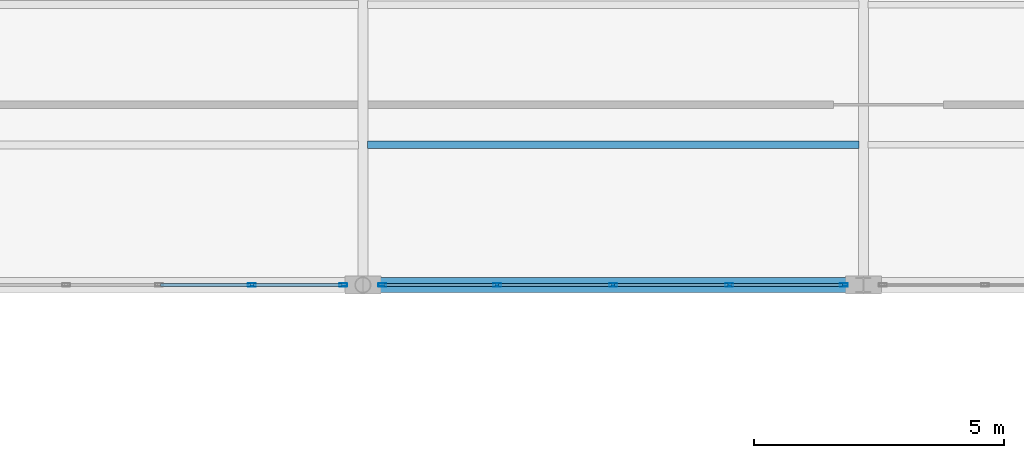
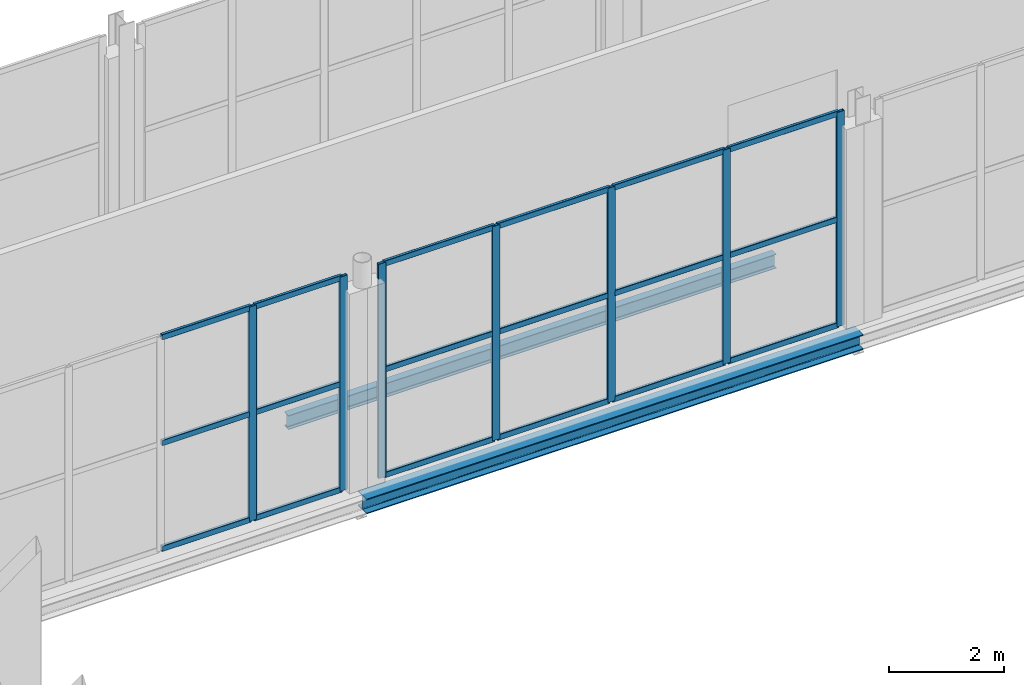
# One storey, part 59 of 120: 25 members, 2 beams, 2 elements without a shape of their own.
"""IFC4 building model written with IfcOpenShell, lengths in metres."""

import ifcopenshell
import ifcopenshell.guid

model = None  # the IFC model being written
_history = None  # IfcOwnerHistory: only IFC2X3 demands one
_inside = {}  # id of a spatial element -> (the spatial element, [elements in it])
_under = {}  # id of a project, library or spatial element -> (it, [spatial elements below it])
_declared = {}  # id of a project -> (the project, [libraries it declares])
_typed = {}  # id of a type object -> (the type object, [elements of that type])
_made_of = {}  # id of a material, layer set ... -> (it, [elements and type objects made of it])


def new_model(schema):
    """Start an empty IFC model of exactly this schema.

    Asked for "IFC4X3", IfcOpenShell would pick the latest addendum, in which some entities
    have other attributes; the version numbers below select the first issue.
    IFC2X3 requires an IfcOwnerHistory on every rooted entity: one is made here for all.
    """
    global model, _history
    if schema == "IFC4X3":
        model = ifcopenshell.file(schema_version=(4, 3, 0, 0))
    else:
        model = ifcopenshell.file(schema=schema)
    _inside.clear()
    _under.clear()
    _declared.clear()
    _typed.clear()
    _made_of.clear()
    _history = None
    if model.schema == "IFC2X3":
        org = make("IfcOrganization", Name="unknown")
        user = make(
            "IfcPersonAndOrganization",
            ThePerson=make("IfcPerson", FamilyName="unknown"),
            TheOrganization=org,
        )
        app = make(
            "IfcApplication",
            ApplicationDeveloper=org,
            Version="unknown",
            ApplicationFullName="unknown",
            ApplicationIdentifier="unknown",
        )
        _history = make(
            "IfcOwnerHistory",
            OwningUser=user,
            OwningApplication=app,
            ChangeAction="ADDED",
            CreationDate=0,
        )
    return model


def make(cls, **values):
    """One entity of the class cls with the attributes given. An attribute that is None is left unset."""
    return model.create_entity(
        cls, **{name: value for name, value in values.items() if value is not None}
    )


def rooted(cls, **values):
    """An entity with a GlobalId (a new one), such as an element, a storey or a relation."""
    return make(cls, GlobalId=ifcopenshell.guid.new(), OwnerHistory=_history, **values)


def si_unit(unit_type, name, prefix=None):
    """IfcSIUnit, for example si_unit("LENGTHUNIT", "METRE", prefix="MILLI")."""
    return make("IfcSIUnit", UnitType=unit_type, Prefix=prefix, Name=name)


def assignment(units):
    """IfcUnitAssignment: the units of a project."""
    return None if units is None else make("IfcUnitAssignment", Units=units)


def point(xyz):
    """IfcCartesianPoint."""
    return None if xyz is None else make("IfcCartesianPoint", Coordinates=xyz)


def direction(xyz):
    """IfcDirection."""
    return None if xyz is None else make("IfcDirection", DirectionRatios=xyz)


def frame(location, z_axis=None, x_axis=None):
    """IfcAxis2Placement3D, a coordinate frame: its origin and axes. An axis left out is left unset."""
    return make(
        "IfcAxis2Placement3D",
        Location=point(location),
        Axis=direction(z_axis),
        RefDirection=direction(x_axis),
    )


def frame_2d(location, x_axis=None):
    """IfcAxis2Placement2D, a coordinate frame in the plane: its origin and x axis."""
    return make(
        "IfcAxis2Placement2D", Location=point(location), RefDirection=direction(x_axis)
    )


def origin():
    """The frame at (0, 0, 0) with its axes left unset."""
    return frame((0.0, 0.0, 0.0))


def origin_2d():
    """The frame at (0, 0) in the plane with its x axis left unset."""
    return frame_2d((0.0, 0.0))


def place(relative_to, where):
    """IfcLocalPlacement: puts the frame where relative to a parent placement (None: the world)."""
    return make(
        "IfcLocalPlacement", PlacementRelTo=relative_to, RelativePlacement=where
    )


def context(
    kind, dimensions, precision=None, world=None, true_north=None, identifier=None
):
    """IfcGeometricRepresentationContext, for example the 3D "Model" context."""
    return make(
        "IfcGeometricRepresentationContext",
        ContextIdentifier=identifier,
        ContextType=kind,
        CoordinateSpaceDimension=dimensions,
        Precision=precision,
        WorldCoordinateSystem=world,
        TrueNorth=true_north,
    )


def subcontext(parent, identifier, kind, view, scale=None):
    """IfcGeometricRepresentationSubContext, for example "Body" below "Model"."""
    return make(
        "IfcGeometricRepresentationSubContext",
        ContextIdentifier=identifier,
        ContextType=kind,
        ParentContext=parent,
        TargetScale=scale,
        TargetView=view,
    )


def project(units=None, contexts=None):
    """IfcProject with its units and contexts."""
    return rooted(
        "IfcProject",
        Name="project",
        RepresentationContexts=contexts,
        UnitsInContext=assignment(units),
    )


def spatial(cls, under=None, at=None, **own):
    """A site, building, storey or space (cls), placed at a placement, below another one or the project."""
    s = rooted(cls, ObjectPlacement=at, **own)
    if under is not None:
        _under.setdefault(under.id(), (under, []))[1].append(s)
    return s


def profile(cls, at=None, kind="AREA", **sizes):
    """A parametric profile (cls). Its sizes go by their IFC names, for example OverallWidth=200.0."""
    return make(cls, ProfileType=kind, Position=at, **sizes)


def hollow_rectangle(**sizes):
    """IfcRectangleHollowProfileDef."""
    return profile("IfcRectangleHollowProfileDef", **sizes)


def i_section(**sizes):
    """IfcIShapeProfileDef."""
    return profile("IfcIShapeProfileDef", **sizes)


def extrude(swept, where, along, depth):
    """IfcExtrudedAreaSolid: the profile swept, set in the frame where, extruded along a direction by depth."""
    return make(
        "IfcExtrudedAreaSolid",
        SweptArea=swept,
        Position=where,
        ExtrudedDirection=direction(along),
        Depth=depth,
    )


def shape(context_of_items, identifier, shape_type, items):
    """IfcShapeRepresentation: the items that make up one representation, for example the "Body"."""
    return make(
        "IfcShapeRepresentation",
        ContextOfItems=context_of_items,
        RepresentationIdentifier=identifier,
        RepresentationType=shape_type,
        Items=items,
    )


def material(Name=None, Category=None):
    """IfcMaterial."""
    return make("IfcMaterial", Name=Name, Category=Category)


def layer(
    of_material, thickness, ventilated=None, Name=None, Category=None, Priority=None
):
    """IfcMaterialLayer: one layer of a wall or slab, of a material (None: an air gap)."""
    return make(
        "IfcMaterialLayer",
        Material=of_material,
        LayerThickness=thickness,
        IsVentilated=ventilated,
        Name=Name,
        Category=Category,
        Priority=Priority,
    )


def layer_set(layers, Name=None):
    """IfcMaterialLayerSet."""
    return make("IfcMaterialLayerSet", MaterialLayers=layers, LayerSetName=Name)


def material_profile(
    of_material, cross_section, Name=None, Category=None, Priority=None
):
    """IfcMaterialProfile: a cross section and its material."""
    return make(
        "IfcMaterialProfile",
        Name=Name,
        Material=of_material,
        Profile=cross_section,
        Priority=Priority,
        Category=Category,
    )


def profile_set(profiles, Name=None, composite=None):
    """IfcMaterialProfileSet."""
    return make(
        "IfcMaterialProfileSet",
        Name=Name,
        MaterialProfiles=profiles,
        CompositeProfile=composite,
    )


def made_of(thing, what):
    """Note that an element or type object is made of a material, layer set ...; save() writes the relation."""
    if what is not None:
        _made_of.setdefault(what.id(), (what, []))[1].append(thing)
    return thing


def type_object(cls, material=None, **own):
    """A type object (cls), such as IfcWallType, which elements share."""
    return made_of(rooted(cls, **own), material)


def element(
    cls,
    number,
    at=None,
    inside=None,
    cuts=None,
    type_object=None,
    material=None,
    context=None,
    identifier="Body",
    shape_type=None,
    held_by="IfcProductDefinitionShape",
    body=None,
    shapes=None,
    **own,
):
    """One element of the class cls, such as IfcWall. Its Tag is "e" and its number.

    at: its placement. inside: the storey or other place that contains it. cuts: it is an
    opening in that element (IfcRelVoidsElement). A single representation is given by context,
    identifier, shape_type and body (its items); several are given by shapes. held_by: the class
    of the entity that holds the representations. save() writes the other relations.
    """
    e = rooted(cls, Tag="e%d" % number, ObjectPlacement=at, **own)
    if body is not None:
        shapes = [shape(context, identifier, shape_type, body)]
    if shapes is not None:
        e.Representation = make(held_by, Representations=shapes)
    if inside is not None:
        _inside.setdefault(inside.id(), (inside, []))[1].append(e)
    if cuts is not None:
        rooted(
            "IfcRelVoidsElement", RelatingBuildingElement=cuts, RelatedOpeningElement=e
        )
    if type_object is not None:
        _typed.setdefault(type_object.id(), (type_object, []))[1].append(e)
    return made_of(e, material)


def aggregate(whole, parts):
    """IfcRelAggregates: a whole, such as a stair, and the parts it consists of."""
    return rooted("IfcRelAggregates", RelatingObject=whole, RelatedObjects=parts)


def save(model, path):
    """Write the relations noted so far, then the file.

    IfcRelAggregates (storeys below a building ...), IfcRelContainedInSpatialStructure (elements
    in a storey), IfcRelDefinesByType, IfcRelAssociatesMaterial and IfcRelDeclares: one each for
    every whole, place, type object, material and project.
    """
    for whole, parts in _under.values():
        aggregate(whole, parts)
    for where, things in _inside.values():
        rooted(
            "IfcRelContainedInSpatialStructure",
            RelatedElements=things,
            RelatingStructure=where,
        )
    for kind, things in _typed.values():
        rooted("IfcRelDefinesByType", RelatedObjects=things, RelatingType=kind)
    for what, things in _made_of.values():
        rooted("IfcRelAssociatesMaterial", RelatedObjects=things, RelatingMaterial=what)
    for by, libraries in _declared.values():
        rooted("IfcRelDeclares", RelatingContext=by, RelatedDefinitions=libraries)
    model.write(path)


model = new_model("IFC4")

# Units and contexts
model_context = context("Model", 3, precision=1e-05, world=origin(), true_north=direction((0.0, 1.0)))
body_context = subcontext(model_context, "Body", "Model", "MODEL_VIEW")
ifc_project = project(units=[si_unit("LENGTHUNIT", "METRE"), si_unit("AREAUNIT", "SQUARE_METRE"), si_unit("VOLUMEUNIT", "CUBIC_METRE"), si_unit("PLANEANGLEUNIT", "RADIAN"), si_unit("MASSUNIT", "GRAM", prefix="KILO")], contexts=[model_context])

# Site, building, storey
site_placement = place(None, origin())
site = spatial("IfcSite", under=ifc_project, at=site_placement, CompositionType="ELEMENT")
building_placement = place(site_placement, origin())
building = spatial("IfcBuilding", under=site, at=building_placement, Name="Vekula Escarpment Museum", CompositionType="ELEMENT")
storey_placement = place(building_placement, frame((0.0, 0.0, 13.199951171875)))
storey = spatial("IfcBuildingStorey", under=building, at=storey_placement, Name="L03", CompositionType="ELEMENT", Elevation=13.199951171875)

# Beams
ifc_material_1 = material(Name="Steel S355", Category="steel")
ifc_material_profile_1 = material_profile(ifc_material_1, i_section(OverallWidth=0.300048828125, OverallDepth=0.320068359375, WebThickness=0.011474609375, FlangeThickness=0.0205078125, FilletRadius=0.027099609375, at=origin_2d()), Name="HEB 320")
ifc_profile_set_1 = profile_set([ifc_material_profile_1], Name="Steel S355")
beam_type_1 = type_object("IfcBeamType", Name="BM-GIRD-HEB320", PredefinedType="BEAM", material=ifc_profile_set_1)
beam_1_placement = place(storey_placement, frame((136.0, 68.0, -0.409912109375), z_axis=(1.0, 0.0, 0.0), x_axis=(0.0, 1.0, 0.0)))
element("IfcBeam", 1, at=beam_1_placement, inside=storey, type_object=beam_type_1, Name="Beam X L03 1370", PredefinedType="BEAM", context=body_context, shape_type="SweptSolid", body=[
    extrude(i_section(OverallWidth=0.300048828125, OverallDepth=0.320068359375, WebThickness=0.011474609375, FlangeThickness=0.0205078125, FilletRadius=0.027099609375, at=origin_2d()), origin(), (0.0, 0.0, 1.0), 10.0),
])
ifc_material_2 = material(Name="Steel S355", Category="steel")
ifc_material_profile_2 = material_profile(ifc_material_2, i_section(OverallWidth=0.14990234375, OverallDepth=0.300048828125, WebThickness=0.007080078125, FlangeThickness=0.0107421875, FilletRadius=0.014892578125, at=origin_2d()), Name="IPE 300")
ifc_profile_set_2 = profile_set([ifc_material_profile_2], Name="Steel S355")
beam_type_2 = type_object("IfcBeamType", Name="BM-JST-IPE300", PredefinedType="JOIST", material=ifc_profile_set_2)
beam_2_placement = place(storey_placement, frame((136.090087890625, 70.800048828125, -0.39990234375), z_axis=(1.0, 0.0, 0.0), x_axis=(0.0, 1.0, 0.0)))
element("IfcBeam", 2, at=beam_2_placement, inside=storey, type_object=beam_type_2, Name="Secondary Joist L03 1078", PredefinedType="JOIST", context=body_context, shape_type="SweptSolid", body=[
    extrude(i_section(OverallWidth=0.14990234375, OverallDepth=0.300048828125, WebThickness=0.007080078125, FlangeThickness=0.0107421875, FilletRadius=0.014892578125, at=origin_2d()), origin(), (0.0, 0.0, 1.0), 9.81982421875),
])

# Curtain wall, members
ifc_material_3 = material(Name="Aluminium thermally broken framing", Category="aluminium")
ifc_layer_1 = layer(ifc_material_3, 0.159912109375)
ifc_layer_set_1 = layer_set([ifc_layer_1], Name="Aluminium thermally broken framing")
curtain_wall_type_1 = type_object("IfcCurtainWallType", Name="CW-SYS-01", PredefinedType="NOTDEFINED", material=ifc_layer_set_1)
curtain_wall_1_placement = place(storey_placement, origin())
curtain_wall_1 = element("IfcCurtainWall", 3, at=curtain_wall_1_placement, inside=storey, type_object=curtain_wall_type_1, Name="Curtain Wall CW-L03-111", PredefinedType="NOTDEFINED")
ifc_material_4 = material(Name="Aluminium anodized mullion", Category="aluminium")
ifc_material_profile_3 = material_profile(ifc_material_4, hollow_rectangle(XDim=0.06005859375, YDim=0.159912109375, WallThickness=0.00390625, InnerFilletRadius=0.00390625, OuterFilletRadius=0.008056640625, at=origin_2d()), Name="ALU 160x60x4")
ifc_profile_set_3 = profile_set([ifc_material_profile_3], Name="Aluminium anodized mullion")
member_type_1 = type_object("IfcMemberType", Name="CW-MUL-160", PredefinedType="MULLION", material=ifc_profile_set_3)
member_1_placement = place(storey_placement, frame((133.783935546875, 68.0, 0.0), z_axis=(0.0, 0.0, 1.0), x_axis=(0.0, 1.0, 0.0)))
member_1 = element("IfcMember", 4, at=member_1_placement, type_object=member_type_1, Name="CW-01 mullion 5", PredefinedType="MULLION", context=body_context, shape_type="SweptSolid", body=[
    extrude(hollow_rectangle(XDim=0.06005859375, YDim=0.159912109375, WallThickness=0.00390625, InnerFilletRadius=0.00390625, OuterFilletRadius=0.008056640625, at=origin_2d()), origin(), (0.0, 0.0, 1.0), 4.56005859375),
])
member_2_placement = place(storey_placement, frame((135.610107421875, 68.0, 0.0), z_axis=(0.0, 0.0, 1.0), x_axis=(0.0, 1.0, 0.0)))
member_2 = element("IfcMember", 5, at=member_2_placement, type_object=member_type_1, Name="CW-01 mullion 6", PredefinedType="MULLION", context=body_context, shape_type="SweptSolid", body=[
    extrude(hollow_rectangle(XDim=0.06005859375, YDim=0.159912109375, WallThickness=0.00390625, InnerFilletRadius=0.00390625, OuterFilletRadius=0.008056640625, at=origin_2d()), origin(), (0.0, 0.0, 1.0), 4.56005859375),
])

ifc_material_5 = material(Name="Aluminium thermally broken framing", Category="aluminium")
ifc_layer_2 = layer(ifc_material_5, 0.159912109375)
ifc_layer_set_2 = layer_set([ifc_layer_2], Name="Aluminium thermally broken framing")
curtain_wall_type_2 = type_object("IfcCurtainWallType", Name="CW-SYS-02", PredefinedType="NOTDEFINED", material=ifc_layer_set_2)
curtain_wall_2_placement = place(storey_placement, origin())
curtain_wall_2 = element("IfcCurtainWall", 6, at=curtain_wall_2_placement, inside=storey, type_object=curtain_wall_type_2, Name="Curtain Wall CW-L03-112", PredefinedType="NOTDEFINED")
member_3_placement = place(storey_placement, frame((136.389892578125, 68.0, 0.0), z_axis=(0.0, 0.0, 1.0), x_axis=(0.0, 1.0, 0.0)))
member_3 = element("IfcMember", 7, at=member_3_placement, type_object=member_type_1, Name="CW-02 mullion 1", PredefinedType="MULLION", context=body_context, shape_type="SweptSolid", body=[
    extrude(hollow_rectangle(XDim=0.06005859375, YDim=0.159912109375, WallThickness=0.00390625, InnerFilletRadius=0.00390625, OuterFilletRadius=0.008056640625, at=origin_2d()), origin(), (0.0, 0.0, 1.0), 4.56005859375),
])
member_4_placement = place(storey_placement, frame((138.679931640625, 68.0, 0.0), z_axis=(0.0, 0.0, 1.0), x_axis=(0.0, 1.0, 0.0)))
member_4 = element("IfcMember", 8, at=member_4_placement, type_object=member_type_1, Name="CW-02 mullion 2", PredefinedType="MULLION", context=body_context, shape_type="SweptSolid", body=[
    extrude(hollow_rectangle(XDim=0.06005859375, YDim=0.159912109375, WallThickness=0.00390625, InnerFilletRadius=0.00390625, OuterFilletRadius=0.008056640625, at=origin_2d()), origin(), (0.0, 0.0, 1.0), 4.56005859375),
])
member_5_placement = place(storey_placement, frame((141.0, 68.0, 0.0), z_axis=(0.0, 0.0, 1.0), x_axis=(0.0, 1.0, 0.0)))
member_5 = element("IfcMember", 9, at=member_5_placement, type_object=member_type_1, Name="CW-02 mullion 3", PredefinedType="MULLION", context=body_context, shape_type="SweptSolid", body=[
    extrude(hollow_rectangle(XDim=0.06005859375, YDim=0.159912109375, WallThickness=0.00390625, InnerFilletRadius=0.00390625, OuterFilletRadius=0.008056640625, at=origin_2d()), origin(), (0.0, 0.0, 1.0), 4.56005859375),
])
member_6_placement = place(storey_placement, frame((143.320068359375, 68.0, 0.0), z_axis=(0.0, 0.0, 1.0), x_axis=(0.0, 1.0, 0.0)))
member_6 = element("IfcMember", 10, at=member_6_placement, type_object=member_type_1, Name="CW-02 mullion 4", PredefinedType="MULLION", context=body_context, shape_type="SweptSolid", body=[
    extrude(hollow_rectangle(XDim=0.06005859375, YDim=0.159912109375, WallThickness=0.00390625, InnerFilletRadius=0.00390625, OuterFilletRadius=0.008056640625, at=origin_2d()), origin(), (0.0, 0.0, 1.0), 4.56005859375),
])
member_7_placement = place(storey_placement, frame((145.610107421875, 68.0, 0.0), z_axis=(0.0, 0.0, 1.0), x_axis=(0.0, 1.0, 0.0)))
member_7 = element("IfcMember", 11, at=member_7_placement, type_object=member_type_1, Name="CW-02 mullion 5", PredefinedType="MULLION", context=body_context, shape_type="SweptSolid", body=[
    extrude(hollow_rectangle(XDim=0.06005859375, YDim=0.159912109375, WallThickness=0.00390625, InnerFilletRadius=0.00390625, OuterFilletRadius=0.008056640625, at=origin_2d()), origin(), (0.0, 0.0, 1.0), 4.56005859375),
])

# Member
ifc_material_6 = material(Name="Aluminium anodized transom", Category="aluminium")
ifc_material_profile_4 = material_profile(ifc_material_6, hollow_rectangle(XDim=0.06005859375, YDim=0.1201171875, WallThickness=0.00390625, InnerFilletRadius=0.00390625, OuterFilletRadius=0.008056640625, at=origin_2d()), Name="ALU 120x60x4")
ifc_profile_set_4 = profile_set([ifc_material_profile_4], Name="Aluminium anodized transom")
member_type_2 = type_object("IfcMemberType", Name="CW-TRN-120", PredefinedType="USERDEFINED", material=ifc_profile_set_4)
member_8_placement = place(storey_placement, frame((131.9580078125, 68.0, 0.030029296875), z_axis=(1.0, 0.0, 0.0), x_axis=(0.0, 1.0, 0.0)))
member_8 = element("IfcMember", 12, at=member_8_placement, type_object=member_type_2, Name="CW-01 transom 4.1", ObjectType="TRANSOM", PredefinedType="USERDEFINED", context=body_context, shape_type="SweptSolid", body=[
    extrude(hollow_rectangle(XDim=0.06005859375, YDim=0.1201171875, WallThickness=0.00390625, InnerFilletRadius=0.00390625, OuterFilletRadius=0.008056640625, at=origin_2d()), origin(), (0.0, 0.0, 1.0), 1.7958984375),
])

member_9_placement = place(storey_placement, frame((131.9580078125, 68.0, 2.280029296875), z_axis=(1.0, 0.0, 0.0), x_axis=(0.0, 1.0, 0.0)))
member_9 = element("IfcMember", 13, at=member_9_placement, type_object=member_type_2, Name="CW-01 transom 4.2", ObjectType="TRANSOM", PredefinedType="USERDEFINED", context=body_context, shape_type="SweptSolid", body=[
    extrude(hollow_rectangle(XDim=0.06005859375, YDim=0.1201171875, WallThickness=0.00390625, InnerFilletRadius=0.00390625, OuterFilletRadius=0.008056640625, at=origin_2d()), origin(), (0.0, 0.0, 1.0), 1.7958984375),
])

member_10_placement = place(storey_placement, frame((131.9580078125, 68.0, 4.530029296875), z_axis=(1.0, 0.0, 0.0), x_axis=(0.0, 1.0, 0.0)))
member_10 = element("IfcMember", 14, at=member_10_placement, type_object=member_type_2, Name="CW-01 transom 4.3", ObjectType="TRANSOM", PredefinedType="USERDEFINED", context=body_context, shape_type="SweptSolid", body=[
    extrude(hollow_rectangle(XDim=0.06005859375, YDim=0.1201171875, WallThickness=0.00390625, InnerFilletRadius=0.00390625, OuterFilletRadius=0.008056640625, at=origin_2d()), origin(), (0.0, 0.0, 1.0), 1.7958984375),
])

member_11_placement = place(storey_placement, frame((133.81396484375, 68.0, 0.030029296875), z_axis=(1.0, 0.0, 0.0), x_axis=(0.0, 1.0, 0.0)))
member_11 = element("IfcMember", 15, at=member_11_placement, type_object=member_type_2, Name="CW-01 transom 5.1", ObjectType="TRANSOM", PredefinedType="USERDEFINED", context=body_context, shape_type="SweptSolid", body=[
    extrude(hollow_rectangle(XDim=0.06005859375, YDim=0.1201171875, WallThickness=0.00390625, InnerFilletRadius=0.00390625, OuterFilletRadius=0.008056640625, at=origin_2d()), origin(), (0.0, 0.0, 1.0), 1.76611328125),
])

member_12_placement = place(storey_placement, frame((133.81396484375, 68.0, 2.280029296875), z_axis=(1.0, 0.0, 0.0), x_axis=(0.0, 1.0, 0.0)))
member_12 = element("IfcMember", 16, at=member_12_placement, type_object=member_type_2, Name="CW-01 transom 5.2", ObjectType="TRANSOM", PredefinedType="USERDEFINED", context=body_context, shape_type="SweptSolid", body=[
    extrude(hollow_rectangle(XDim=0.06005859375, YDim=0.1201171875, WallThickness=0.00390625, InnerFilletRadius=0.00390625, OuterFilletRadius=0.008056640625, at=origin_2d()), origin(), (0.0, 0.0, 1.0), 1.76611328125),
])

member_13_placement = place(storey_placement, frame((133.81396484375, 68.0, 4.530029296875), z_axis=(1.0, 0.0, 0.0), x_axis=(0.0, 1.0, 0.0)))
member_13 = element("IfcMember", 17, at=member_13_placement, type_object=member_type_2, Name="CW-01 transom 5.3", ObjectType="TRANSOM", PredefinedType="USERDEFINED", context=body_context, shape_type="SweptSolid", body=[
    extrude(hollow_rectangle(XDim=0.06005859375, YDim=0.1201171875, WallThickness=0.00390625, InnerFilletRadius=0.00390625, OuterFilletRadius=0.008056640625, at=origin_2d()), origin(), (0.0, 0.0, 1.0), 1.76611328125),
])

aggregate(curtain_wall_1, [member_1, member_2, member_8, member_9, member_10, member_11, member_12, member_13])

member_14_placement = place(storey_placement, frame((136.419921875, 68.0, 0.030029296875), z_axis=(1.0, 0.0, 0.0), x_axis=(0.0, 1.0, 0.0)))
member_14 = element("IfcMember", 18, at=member_14_placement, type_object=member_type_2, Name="CW-02 transom 1.1", ObjectType="TRANSOM", PredefinedType="USERDEFINED", context=body_context, shape_type="SweptSolid", body=[
    extrude(hollow_rectangle(XDim=0.06005859375, YDim=0.1201171875, WallThickness=0.00390625, InnerFilletRadius=0.00390625, OuterFilletRadius=0.008056640625, at=origin_2d()), origin(), (0.0, 0.0, 1.0), 2.22998046875),
])

member_15_placement = place(storey_placement, frame((136.419921875, 68.0, 2.280029296875), z_axis=(1.0, 0.0, 0.0), x_axis=(0.0, 1.0, 0.0)))
member_15 = element("IfcMember", 19, at=member_15_placement, type_object=member_type_2, Name="CW-02 transom 1.2", ObjectType="TRANSOM", PredefinedType="USERDEFINED", context=body_context, shape_type="SweptSolid", body=[
    extrude(hollow_rectangle(XDim=0.06005859375, YDim=0.1201171875, WallThickness=0.00390625, InnerFilletRadius=0.00390625, OuterFilletRadius=0.008056640625, at=origin_2d()), origin(), (0.0, 0.0, 1.0), 2.22998046875),
])

member_16_placement = place(storey_placement, frame((136.419921875, 68.0, 4.530029296875), z_axis=(1.0, 0.0, 0.0), x_axis=(0.0, 1.0, 0.0)))
member_16 = element("IfcMember", 20, at=member_16_placement, type_object=member_type_2, Name="CW-02 transom 1.3", ObjectType="TRANSOM", PredefinedType="USERDEFINED", context=body_context, shape_type="SweptSolid", body=[
    extrude(hollow_rectangle(XDim=0.06005859375, YDim=0.1201171875, WallThickness=0.00390625, InnerFilletRadius=0.00390625, OuterFilletRadius=0.008056640625, at=origin_2d()), origin(), (0.0, 0.0, 1.0), 2.22998046875),
])

member_17_placement = place(storey_placement, frame((138.7099609375, 68.0, 0.030029296875), z_axis=(1.0, 0.0, 0.0), x_axis=(0.0, 1.0, 0.0)))
member_17 = element("IfcMember", 21, at=member_17_placement, type_object=member_type_2, Name="CW-02 transom 2.1", ObjectType="TRANSOM", PredefinedType="USERDEFINED", context=body_context, shape_type="SweptSolid", body=[
    extrude(hollow_rectangle(XDim=0.06005859375, YDim=0.1201171875, WallThickness=0.00390625, InnerFilletRadius=0.00390625, OuterFilletRadius=0.008056640625, at=origin_2d()), origin(), (0.0, 0.0, 1.0), 2.260009765625),
])

member_18_placement = place(storey_placement, frame((138.7099609375, 68.0, 2.280029296875), z_axis=(1.0, 0.0, 0.0), x_axis=(0.0, 1.0, 0.0)))
member_18 = element("IfcMember", 22, at=member_18_placement, type_object=member_type_2, Name="CW-02 transom 2.2", ObjectType="TRANSOM", PredefinedType="USERDEFINED", context=body_context, shape_type="SweptSolid", body=[
    extrude(hollow_rectangle(XDim=0.06005859375, YDim=0.1201171875, WallThickness=0.00390625, InnerFilletRadius=0.00390625, OuterFilletRadius=0.008056640625, at=origin_2d()), origin(), (0.0, 0.0, 1.0), 2.260009765625),
])

member_19_placement = place(storey_placement, frame((138.7099609375, 68.0, 4.530029296875), z_axis=(1.0, 0.0, 0.0), x_axis=(0.0, 1.0, 0.0)))
member_19 = element("IfcMember", 23, at=member_19_placement, type_object=member_type_2, Name="CW-02 transom 2.3", ObjectType="TRANSOM", PredefinedType="USERDEFINED", context=body_context, shape_type="SweptSolid", body=[
    extrude(hollow_rectangle(XDim=0.06005859375, YDim=0.1201171875, WallThickness=0.00390625, InnerFilletRadius=0.00390625, OuterFilletRadius=0.008056640625, at=origin_2d()), origin(), (0.0, 0.0, 1.0), 2.260009765625),
])

member_20_placement = place(storey_placement, frame((141.030029296875, 68.0, 0.030029296875), z_axis=(1.0, 0.0, 0.0), x_axis=(0.0, 1.0, 0.0)))
member_20 = element("IfcMember", 24, at=member_20_placement, type_object=member_type_2, Name="CW-02 transom 3.1", ObjectType="TRANSOM", PredefinedType="USERDEFINED", context=body_context, shape_type="SweptSolid", body=[
    extrude(hollow_rectangle(XDim=0.06005859375, YDim=0.1201171875, WallThickness=0.00390625, InnerFilletRadius=0.00390625, OuterFilletRadius=0.008056640625, at=origin_2d()), origin(), (0.0, 0.0, 1.0), 2.260009765625),
])

member_21_placement = place(storey_placement, frame((141.030029296875, 68.0, 2.280029296875), z_axis=(1.0, 0.0, 0.0), x_axis=(0.0, 1.0, 0.0)))
member_21 = element("IfcMember", 25, at=member_21_placement, type_object=member_type_2, Name="CW-02 transom 3.2", ObjectType="TRANSOM", PredefinedType="USERDEFINED", context=body_context, shape_type="SweptSolid", body=[
    extrude(hollow_rectangle(XDim=0.06005859375, YDim=0.1201171875, WallThickness=0.00390625, InnerFilletRadius=0.00390625, OuterFilletRadius=0.008056640625, at=origin_2d()), origin(), (0.0, 0.0, 1.0), 2.260009765625),
])

member_22_placement = place(storey_placement, frame((141.030029296875, 68.0, 4.530029296875), z_axis=(1.0, 0.0, 0.0), x_axis=(0.0, 1.0, 0.0)))
member_22 = element("IfcMember", 26, at=member_22_placement, type_object=member_type_2, Name="CW-02 transom 3.3", ObjectType="TRANSOM", PredefinedType="USERDEFINED", context=body_context, shape_type="SweptSolid", body=[
    extrude(hollow_rectangle(XDim=0.06005859375, YDim=0.1201171875, WallThickness=0.00390625, InnerFilletRadius=0.00390625, OuterFilletRadius=0.008056640625, at=origin_2d()), origin(), (0.0, 0.0, 1.0), 2.260009765625),
])

member_23_placement = place(storey_placement, frame((143.35009765625, 68.0, 0.030029296875), z_axis=(1.0, 0.0, 0.0), x_axis=(0.0, 1.0, 0.0)))
member_23 = element("IfcMember", 27, at=member_23_placement, type_object=member_type_2, Name="CW-02 transom 4.1", ObjectType="TRANSOM", PredefinedType="USERDEFINED", context=body_context, shape_type="SweptSolid", body=[
    extrude(hollow_rectangle(XDim=0.06005859375, YDim=0.1201171875, WallThickness=0.00390625, InnerFilletRadius=0.00390625, OuterFilletRadius=0.008056640625, at=origin_2d()), origin(), (0.0, 0.0, 1.0), 2.22998046875),
])

member_24_placement = place(storey_placement, frame((143.35009765625, 68.0, 2.280029296875), z_axis=(1.0, 0.0, 0.0), x_axis=(0.0, 1.0, 0.0)))
member_24 = element("IfcMember", 28, at=member_24_placement, type_object=member_type_2, Name="CW-02 transom 4.2", ObjectType="TRANSOM", PredefinedType="USERDEFINED", context=body_context, shape_type="SweptSolid", body=[
    extrude(hollow_rectangle(XDim=0.06005859375, YDim=0.1201171875, WallThickness=0.00390625, InnerFilletRadius=0.00390625, OuterFilletRadius=0.008056640625, at=origin_2d()), origin(), (0.0, 0.0, 1.0), 2.22998046875),
])

member_25_placement = place(storey_placement, frame((143.35009765625, 68.0, 4.530029296875), z_axis=(1.0, 0.0, 0.0), x_axis=(0.0, 1.0, 0.0)))
member_25 = element("IfcMember", 29, at=member_25_placement, type_object=member_type_2, Name="CW-02 transom 4.3", ObjectType="TRANSOM", PredefinedType="USERDEFINED", context=body_context, shape_type="SweptSolid", body=[
    extrude(hollow_rectangle(XDim=0.06005859375, YDim=0.1201171875, WallThickness=0.00390625, InnerFilletRadius=0.00390625, OuterFilletRadius=0.008056640625, at=origin_2d()), origin(), (0.0, 0.0, 1.0), 2.22998046875),
])

aggregate(curtain_wall_2, [member_3, member_4, member_5, member_6, member_7, member_14, member_15, member_16, member_17, member_18, member_19, member_20, member_21, member_22, member_23, member_24, member_25])

save(model, "model.ifc")
